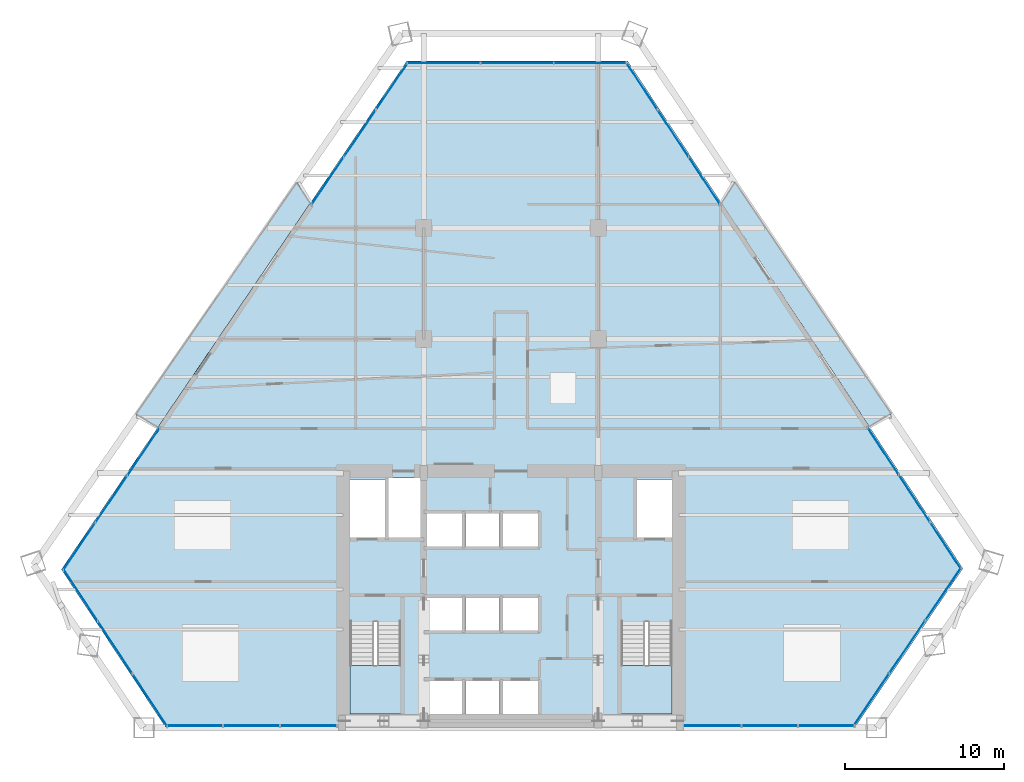
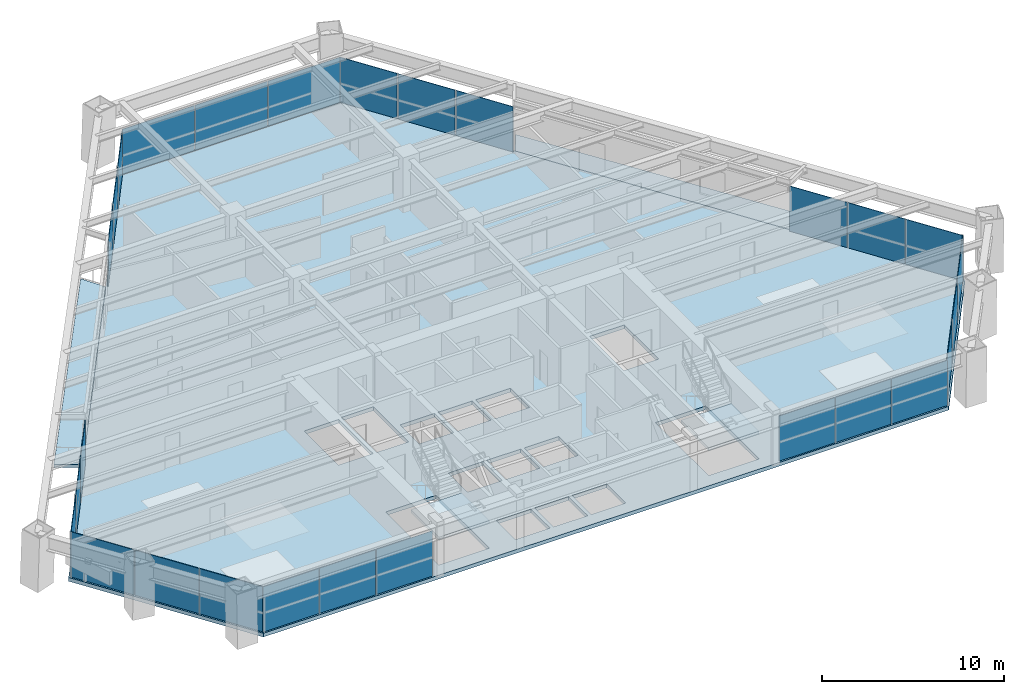
# One storey, part 9 of 14: 27 plates, 5 slabs, 11 elements without a shape of their own.
"""IFC4 building model written with IfcOpenShell, lengths in metres."""

import ifcopenshell
import ifcopenshell.guid

model = None  # the IFC model being written
_history = None  # IfcOwnerHistory: only IFC2X3 demands one
_inside = {}  # id of a spatial element -> (the spatial element, [elements in it])
_under = {}  # id of a project, library or spatial element -> (it, [spatial elements below it])
_declared = {}  # id of a project -> (the project, [libraries it declares])
_typed = {}  # id of a type object -> (the type object, [elements of that type])
_made_of = {}  # id of a material, layer set ... -> (it, [elements and type objects made of it])


def new_model(schema):
    """Start an empty IFC model of exactly this schema.

    Asked for "IFC4X3", IfcOpenShell would pick the latest addendum, in which some entities
    have other attributes; the version numbers below select the first issue.
    IFC2X3 requires an IfcOwnerHistory on every rooted entity: one is made here for all.
    """
    global model, _history
    if schema == "IFC4X3":
        model = ifcopenshell.file(schema_version=(4, 3, 0, 0))
    else:
        model = ifcopenshell.file(schema=schema)
    _inside.clear()
    _under.clear()
    _declared.clear()
    _typed.clear()
    _made_of.clear()
    _history = None
    if model.schema == "IFC2X3":
        org = make("IfcOrganization", Name="unknown")
        user = make(
            "IfcPersonAndOrganization",
            ThePerson=make("IfcPerson", FamilyName="unknown"),
            TheOrganization=org,
        )
        app = make(
            "IfcApplication",
            ApplicationDeveloper=org,
            Version="unknown",
            ApplicationFullName="unknown",
            ApplicationIdentifier="unknown",
        )
        _history = make(
            "IfcOwnerHistory",
            OwningUser=user,
            OwningApplication=app,
            ChangeAction="ADDED",
            CreationDate=0,
        )
    return model


def make(cls, **values):
    """One entity of the class cls with the attributes given. An attribute that is None is left unset."""
    return model.create_entity(
        cls, **{name: value for name, value in values.items() if value is not None}
    )


def rooted(cls, **values):
    """An entity with a GlobalId (a new one), such as an element, a storey or a relation."""
    return make(cls, GlobalId=ifcopenshell.guid.new(), OwnerHistory=_history, **values)


def si_unit(unit_type, name, prefix=None):
    """IfcSIUnit, for example si_unit("LENGTHUNIT", "METRE", prefix="MILLI")."""
    return make("IfcSIUnit", UnitType=unit_type, Prefix=prefix, Name=name)


def assignment(units):
    """IfcUnitAssignment: the units of a project."""
    return None if units is None else make("IfcUnitAssignment", Units=units)


def point(xyz):
    """IfcCartesianPoint."""
    return None if xyz is None else make("IfcCartesianPoint", Coordinates=xyz)


def direction(xyz):
    """IfcDirection."""
    return None if xyz is None else make("IfcDirection", DirectionRatios=xyz)


def frame(location, z_axis=None, x_axis=None):
    """IfcAxis2Placement3D, a coordinate frame: its origin and axes. An axis left out is left unset."""
    return make(
        "IfcAxis2Placement3D",
        Location=point(location),
        Axis=direction(z_axis),
        RefDirection=direction(x_axis),
    )


def frame_2d(location, x_axis=None):
    """IfcAxis2Placement2D, a coordinate frame in the plane: its origin and x axis."""
    return make(
        "IfcAxis2Placement2D", Location=point(location), RefDirection=direction(x_axis)
    )


def origin():
    """The frame at (0, 0, 0) with its axes left unset."""
    return frame((0.0, 0.0, 0.0))


def origin_2d():
    """The frame at (0, 0) in the plane with its x axis left unset."""
    return frame_2d((0.0, 0.0))


def place(relative_to, where):
    """IfcLocalPlacement: puts the frame where relative to a parent placement (None: the world)."""
    return make(
        "IfcLocalPlacement", PlacementRelTo=relative_to, RelativePlacement=where
    )


def context(
    kind, dimensions, precision=None, world=None, true_north=None, identifier=None
):
    """IfcGeometricRepresentationContext, for example the 3D "Model" context."""
    return make(
        "IfcGeometricRepresentationContext",
        ContextIdentifier=identifier,
        ContextType=kind,
        CoordinateSpaceDimension=dimensions,
        Precision=precision,
        WorldCoordinateSystem=world,
        TrueNorth=true_north,
    )


def subcontext(parent, identifier, kind, view, scale=None):
    """IfcGeometricRepresentationSubContext, for example "Body" below "Model"."""
    return make(
        "IfcGeometricRepresentationSubContext",
        ContextIdentifier=identifier,
        ContextType=kind,
        ParentContext=parent,
        TargetScale=scale,
        TargetView=view,
    )


def project(units=None, contexts=None):
    """IfcProject with its units and contexts."""
    return rooted(
        "IfcProject",
        Name="project",
        RepresentationContexts=contexts,
        UnitsInContext=assignment(units),
    )


def spatial(cls, under=None, at=None, **own):
    """A site, building, storey or space (cls), placed at a placement, below another one or the project."""
    s = rooted(cls, ObjectPlacement=at, **own)
    if under is not None:
        _under.setdefault(under.id(), (under, []))[1].append(s)
    return s


def polyline(points):
    """IfcPolyline through the points."""
    return make("IfcPolyline", Points=[point(p) for p in points])


def profile(cls, at=None, kind="AREA", **sizes):
    """A parametric profile (cls). Its sizes go by their IFC names, for example OverallWidth=200.0."""
    return make(cls, ProfileType=kind, Position=at, **sizes)


def rectangle(**sizes):
    """IfcRectangleProfileDef."""
    return profile("IfcRectangleProfileDef", **sizes)


def outline(outer, holes=None, kind="AREA"):
    """IfcArbitraryClosedProfileDef: a profile drawn as a closed curve; with holes, ...WithVoids."""
    if holes is None:
        return make("IfcArbitraryClosedProfileDef", ProfileType=kind, OuterCurve=outer)
    return make(
        "IfcArbitraryProfileDefWithVoids",
        ProfileType=kind,
        OuterCurve=outer,
        InnerCurves=holes,
    )


def extrude(swept, where, along, depth):
    """IfcExtrudedAreaSolid: the profile swept, set in the frame where, extruded along a direction by depth."""
    return make(
        "IfcExtrudedAreaSolid",
        SweptArea=swept,
        Position=where,
        ExtrudedDirection=direction(along),
        Depth=depth,
    )


def shape(context_of_items, identifier, shape_type, items):
    """IfcShapeRepresentation: the items that make up one representation, for example the "Body"."""
    return make(
        "IfcShapeRepresentation",
        ContextOfItems=context_of_items,
        RepresentationIdentifier=identifier,
        RepresentationType=shape_type,
        Items=items,
    )


def source(mapping_origin, context_of_items, identifier, shape_type, items):
    """IfcRepresentationMap: a shape defined once, which mapped items show again and again."""
    return make(
        "IfcRepresentationMap",
        MappingOrigin=mapping_origin,
        MappedRepresentation=shape(context_of_items, identifier, shape_type, items),
    )


def transform(
    local_origin,
    x_axis=None,
    y_axis=None,
    z_axis=None,
    scale=None,
    scale2=None,
    scale3=None,
    uniform=True,
):
    """IfcCartesianTransformationOperator3D, or its non-uniform kind. x_axis, y_axis, z_axis: its Axis1, 2, 3."""
    if uniform:
        return make(
            "IfcCartesianTransformationOperator3D",
            Axis1=direction(x_axis),
            Axis2=direction(y_axis),
            LocalOrigin=point(local_origin),
            Scale=scale,
            Axis3=direction(z_axis),
        )
    return make(
        "IfcCartesianTransformationOperator3DnonUniform",
        Axis1=direction(x_axis),
        Axis2=direction(y_axis),
        LocalOrigin=point(local_origin),
        Scale=scale,
        Axis3=direction(z_axis),
        Scale2=scale2,
        Scale3=scale3,
    )


def mapped(mapping_source, mapping_target):
    """IfcMappedItem: shows the shape of a source again, moved by a transform."""
    return make(
        "IfcMappedItem", MappingSource=mapping_source, MappingTarget=mapping_target
    )


def material(Name=None, Category=None):
    """IfcMaterial."""
    return make("IfcMaterial", Name=Name, Category=Category)


def layer(
    of_material, thickness, ventilated=None, Name=None, Category=None, Priority=None
):
    """IfcMaterialLayer: one layer of a wall or slab, of a material (None: an air gap)."""
    return make(
        "IfcMaterialLayer",
        Material=of_material,
        LayerThickness=thickness,
        IsVentilated=ventilated,
        Name=Name,
        Category=Category,
        Priority=Priority,
    )


def layer_set(layers, Name=None):
    """IfcMaterialLayerSet."""
    return make("IfcMaterialLayerSet", MaterialLayers=layers, LayerSetName=Name)


def made_of(thing, what):
    """Note that an element or type object is made of a material, layer set ...; save() writes the relation."""
    if what is not None:
        _made_of.setdefault(what.id(), (what, []))[1].append(thing)
    return thing


def type_object(cls, material=None, **own):
    """A type object (cls), such as IfcWallType, which elements share."""
    return made_of(rooted(cls, **own), material)


def element(
    cls,
    number,
    at=None,
    inside=None,
    cuts=None,
    type_object=None,
    material=None,
    context=None,
    identifier="Body",
    shape_type=None,
    held_by="IfcProductDefinitionShape",
    body=None,
    shapes=None,
    **own,
):
    """One element of the class cls, such as IfcWall. Its Tag is "e" and its number.

    at: its placement. inside: the storey or other place that contains it. cuts: it is an
    opening in that element (IfcRelVoidsElement). A single representation is given by context,
    identifier, shape_type and body (its items); several are given by shapes. held_by: the class
    of the entity that holds the representations. save() writes the other relations.
    """
    e = rooted(cls, Tag="e%d" % number, ObjectPlacement=at, **own)
    if body is not None:
        shapes = [shape(context, identifier, shape_type, body)]
    if shapes is not None:
        e.Representation = make(held_by, Representations=shapes)
    if inside is not None:
        _inside.setdefault(inside.id(), (inside, []))[1].append(e)
    if cuts is not None:
        rooted(
            "IfcRelVoidsElement", RelatingBuildingElement=cuts, RelatedOpeningElement=e
        )
    if type_object is not None:
        _typed.setdefault(type_object.id(), (type_object, []))[1].append(e)
    return made_of(e, material)


def aggregate(whole, parts):
    """IfcRelAggregates: a whole, such as a stair, and the parts it consists of."""
    return rooted("IfcRelAggregates", RelatingObject=whole, RelatedObjects=parts)


def save(model, path):
    """Write the relations noted so far, then the file.

    IfcRelAggregates (storeys below a building ...), IfcRelContainedInSpatialStructure (elements
    in a storey), IfcRelDefinesByType, IfcRelAssociatesMaterial and IfcRelDeclares: one each for
    every whole, place, type object, material and project.
    """
    for whole, parts in _under.values():
        aggregate(whole, parts)
    for where, things in _inside.values():
        rooted(
            "IfcRelContainedInSpatialStructure",
            RelatedElements=things,
            RelatingStructure=where,
        )
    for kind, things in _typed.values():
        rooted("IfcRelDefinesByType", RelatedObjects=things, RelatingType=kind)
    for what, things in _made_of.values():
        rooted("IfcRelAssociatesMaterial", RelatedObjects=things, RelatingMaterial=what)
    for by, libraries in _declared.values():
        rooted("IfcRelDeclares", RelatingContext=by, RelatedDefinitions=libraries)
    model.write(path)


model = new_model("IFC4")

# Units and contexts
model_context = context("Model", 3, precision=1e-05, world=origin(), true_north=direction((0.0, 1.0)))
body_context = subcontext(model_context, "Body", "Model", "MODEL_VIEW")
ifc_project = project(units=[si_unit("LENGTHUNIT", "METRE"), si_unit("AREAUNIT", "SQUARE_METRE"), si_unit("VOLUMEUNIT", "CUBIC_METRE"), si_unit("PLANEANGLEUNIT", "RADIAN"), si_unit("MASSUNIT", "GRAM", prefix="KILO")], contexts=[model_context])

# Site, building, storey
site_placement = place(None, origin())
site = spatial("IfcSite", under=ifc_project, at=site_placement, CompositionType="ELEMENT")
building_placement = place(site_placement, origin())
building = spatial("IfcBuilding", under=site, at=building_placement, Name="Varnakhor Terracotta Tower", CompositionType="ELEMENT")
storey_placement = place(building_placement, frame((0.0, 0.0, 64.5)))
storey = spatial("IfcBuildingStorey", under=building, at=storey_placement, Name="L15", CompositionType="ELEMENT", Elevation=64.5)

# Stair, slab
ifc_material_1 = material(Name="Concrete C40/50", Category="concrete")
stair_type = type_object("IfcStairType", Name="STR-CORE-OFFICE-1500", PredefinedType="HALF_TURN_STAIR", material=ifc_material_1)
stair_1_placement = place(storey_placement, origin())
stair_1 = element("IfcStair", 1, at=stair_1_placement, inside=storey, type_object=stair_type, Name="L15 Core Exit Stair ST-1", PredefinedType="HALF_TURN_STAIR")
ifc_layer_1 = layer(ifc_material_1, 0.179931640625, Name="Concrete C40/50")
ifc_layer_set_1 = layer_set([ifc_layer_1], Name="Concrete C40/50")
slab_type_1 = type_object("IfcSlabType", Name="SLB-LANDING-180", PredefinedType="LANDING", material=ifc_layer_set_1)
slab_1_placement = place(storey_placement, frame((0.0, 0.0, 1.64990234375)))
slab_1 = element("IfcSlab", 2, at=slab_1_placement, type_object=slab_type_1, Name="ST-1 landing 1", PredefinedType="LANDING", context=body_context, shape_type="SweptSolid", body=[
    extrude(outline(polyline([(-10.14990234375, 3.909912109375), (-10.14990234375, 0.85009765625), (-6.949951171875, 0.85009765625), (-6.949951171875, 3.909912109375), (-10.14990234375, 3.909912109375)])), origin(), (0.0, 0.0, 1.0), 0.2001953125),
])
aggregate(stair_1, [slab_1])

stair_2_placement = place(storey_placement, origin())
stair_2 = element("IfcStair", 3, at=stair_2_placement, inside=storey, type_object=stair_type, Name="L15 Core Exit Stair ST-2", PredefinedType="HALF_TURN_STAIR")
slab_2_placement = place(storey_placement, frame((0.0, 0.0, 1.64990234375)))
slab_2 = element("IfcSlab", 4, at=slab_2_placement, type_object=slab_type_1, Name="ST-2 landing 1", PredefinedType="LANDING", context=body_context, shape_type="SweptSolid", body=[
    extrude(outline(polyline([(6.949951171875, 3.909912109375), (6.949951171875, 0.85009765625), (10.14990234375, 0.85009765625), (10.14990234375, 3.909912109375), (6.949951171875, 3.909912109375)])), origin(), (0.0, 0.0, 1.0), 0.2001953125),
])
aggregate(stair_2, [slab_2])

# Slabs
ifc_layer_2 = layer(ifc_material_1, 0.195068359375, Name="Concrete C40/50")
ifc_layer_set_2 = layer_set([ifc_layer_2], Name="Concrete C40/50")
slab_type_2 = type_object("IfcSlabType", Name="SLB-LOGGIA-EXT-195", PredefinedType="FLOOR", material=ifc_layer_set_2)
slab_3_placement = place(storey_placement, frame((0.0, 0.0, -0.195068359375)))
element("IfcSlab", 5, at=slab_3_placement, inside=storey, type_object=slab_type_2, Name="L15 E Recessed Outdoor Loggia Slab", PredefinedType="FLOOR", context=body_context, shape_type="SweptSolid", body=[
    extrude(outline(polyline([(14.0908203125, 34.422119140625), (23.98095703125, 19.77392578125), (22.578125, 18.994873046875), (18.759033203125, 24.773681640625), (13.27880859375, 33.06591796875), (14.0908203125, 34.422119140625)])), origin(), (0.0, 0.0, 1.0), 0.195068359375),
])
slab_4_placement = place(storey_placement, frame((0.0, 0.0, -0.195068359375)))
element("IfcSlab", 6, at=slab_4_placement, inside=storey, type_object=slab_type_2, Name="L15 W Recessed Outdoor Loggia Slab", PredefinedType="FLOOR", context=body_context, shape_type="SweptSolid", body=[
    extrude(outline(polyline([(-23.661376953125, 19.72412109375), (-13.487548828125, 34.402587890625), (-12.674560546875, 33.04736328125), (-22.256591796875, 18.94677734375), (-23.661376953125, 19.72412109375)])), origin(), (0.0, 0.0, 1.0), 0.195068359375),
])
ifc_layer_3 = layer(ifc_material_1, 0.25, Name="Concrete C40/50")
ifc_layer_set_3 = layer_set([ifc_layer_3], Name="Concrete C40/50")
slab_type_3 = type_object("IfcSlabType", Name="SLB-OFF-250", PredefinedType="FLOOR", material=ifc_layer_set_3)
slab_5_placement = place(storey_placement, frame((0.0, 0.0, -0.25)))
element("IfcSlab", 7, at=slab_5_placement, inside=storey, type_object=slab_type_3, Name="L15 Structural Floor Slab", PredefinedType="FLOOR", context=body_context, shape_type="SweptSolid", body=[
    extrude(outline(polyline([(-28.354248046875, 9.973876953125), (-6.576904296875, 42.020263671875), (7.36083984375, 42.020263671875), (28.49609375, 10.04052734375), (21.673095703125, 0.0), (-21.7626953125, 0.0), (-28.354248046875, 9.973876953125)]), holes=[polyline([(-3.10009765625, 0.85009765625), (-3.10009765625, 2.949951171875), (-5.300048828125, 2.949951171875), (-5.300048828125, 0.85009765625), (-3.10009765625, 0.85009765625)]), polyline([(-2.8798828125, 0.85009765625), (-0.719970703125, 0.85009765625), (-0.719970703125, 2.949951171875), (-2.8798828125, 2.949951171875), (-2.8798828125, 0.85009765625)]), polyline([(-10.14990234375, 0.85009765625), (-6.949951171875, 0.85009765625), (-6.949951171875, 6.695068359375), (-10.14990234375, 6.695068359375), (-10.14990234375, 0.85009765625)]), polyline([(-5.300048828125, 6.10009765625), (-3.10009765625, 6.10009765625), (-3.10009765625, 8.199951171875), (-5.300048828125, 8.199951171875), (-5.300048828125, 6.10009765625)]), polyline([(-5.300048828125, 11.419921875), (-3.10009765625, 11.419921875), (-3.10009765625, 13.52001953125), (-5.300048828125, 13.52001953125), (-5.300048828125, 11.419921875)]), polyline([(-10.14990234375, 11.8798828125), (-7.949951171875, 11.8798828125), (-7.949951171875, 15.64990234375), (-10.14990234375, 15.64990234375), (-10.14990234375, 11.8798828125)]), polyline([(-7.72998046875, 11.8798828125), (-5.699951171875, 11.8798828125), (-5.699951171875, 15.75), (-7.72998046875, 15.75), (-7.72998046875, 11.8798828125)]), polyline([(1.699951171875, 0.85009765625), (1.699951171875, 2.949951171875), (-0.5, 2.949951171875), (-0.5, 0.85009765625), (1.699951171875, 0.85009765625)]), polyline([(6.949951171875, 0.85009765625), (10.14990234375, 0.85009765625), (10.14990234375, 6.695068359375), (6.949951171875, 6.695068359375), (6.949951171875, 0.85009765625)]), polyline([(-2.8798828125, 6.10009765625), (-0.719970703125, 6.10009765625), (-0.719970703125, 8.199951171875), (-2.8798828125, 8.199951171875), (-2.8798828125, 6.10009765625)]), polyline([(-0.5, 6.10009765625), (1.699951171875, 6.10009765625), (1.699951171875, 8.199951171875), (-0.5, 8.199951171875), (-0.5, 6.10009765625)]), polyline([(-2.8798828125, 11.419921875), (-0.719970703125, 11.419921875), (-0.719970703125, 13.52001953125), (-2.8798828125, 13.52001953125), (-2.8798828125, 11.419921875)]), polyline([(-0.5, 11.419921875), (1.699951171875, 11.419921875), (1.699951171875, 13.52001953125), (-0.5, 13.52001953125), (-0.5, 11.419921875)]), polyline([(7.949951171875, 11.8798828125), (10.14990234375, 11.8798828125), (10.14990234375, 15.64990234375), (7.949951171875, 15.64990234375), (7.949951171875, 11.8798828125)])]), origin(), (0.0, 0.0, 1.0), 0.25),
])

# Curtain wall, plates
ifc_material_2 = material(Name="Anodised Aluminium Curtain Wall System", Category="aluminium")
curtain_wall_type = type_object("IfcCurtainWallType", Name="CW-SYS-LOW-OFFICE", PredefinedType="NOTDEFINED", material=ifc_material_2)
curtain_wall_1_placement = place(storey_placement, origin())
curtain_wall_1 = element("IfcCurtainWall", 8, at=curtain_wall_1_placement, inside=storey, type_object=curtain_wall_type, Name="L15 E Facet Curtain Wall 1", PredefinedType="NOTDEFINED")
ifc_material_3 = material(Name="Solar-Control Low-E Insulated Glass Panel", Category="glass")
ifc_layer_4 = layer(ifc_material_3, 0.0380859375, Name="Solar-Control Low-E Insulated Glass Panel")
ifc_layer_set_4 = layer_set([ifc_layer_4], Name="Solar-Control Low-E Insulated Glass Panel")
plate_type = type_object("IfcPlateType", Name="CWP-02", PredefinedType="CURTAIN_PANEL", material=ifc_layer_set_4)
shared_shape_1 = source(origin(), body_context, "Body", "SweptSolid", [
    extrude(rectangle(XDim=3.517578125, YDim=0.035888671875, at=origin_2d()), origin(), (0.0, 0.0, 1.0), 3.030029296875),
])
plate_1_placement = place(storey_placement, frame((8.258056640625, 40.445068359375, 0.0), z_axis=(0.0, 0.0, 1.0), x_axis=(0.551369249419, -0.834261320448, 0.0)))
plate_1 = element("IfcPlate", 9, at=plate_1_placement, type_object=plate_type, Name="L15 E Facet Curtain Wall 1 Glazed Panel 1", PredefinedType="CURTAIN_PANEL", context=body_context, shape_type="MappedRepresentation", body=[
    mapped(shared_shape_1, transform((0.0, 0.0, 0.0), scale=1.0)),
])
plate_2_placement = place(storey_placement, frame((10.219482421875, 37.47705078125, 0.0), z_axis=(0.0, 0.0, 1.0), x_axis=(0.551369249419, -0.834261320448, 0.0)))
plate_2 = element("IfcPlate", 10, at=plate_2_placement, type_object=plate_type, Name="L15 E Facet Curtain Wall 1 Glazed Panel 2", PredefinedType="CURTAIN_PANEL", context=body_context, shape_type="MappedRepresentation", body=[
    mapped(shared_shape_1, transform((0.0, 0.0, 0.0), scale=1.0)),
])
plate_3_placement = place(storey_placement, frame((12.18115234375, 34.5087890625, 0.0), z_axis=(0.0, 0.0, 1.0), x_axis=(0.551369249419, -0.834261320448, 0.0)))
plate_3 = element("IfcPlate", 11, at=plate_3_placement, type_object=plate_type, Name="L15 E Facet Curtain Wall 1 Glazed Panel 3", PredefinedType="CURTAIN_PANEL", context=body_context, shape_type="MappedRepresentation", body=[
    mapped(shared_shape_1, transform((0.0, 0.0, 0.0), scale=1.0)),
])
aggregate(curtain_wall_1, [plate_1, plate_2, plate_3])

curtain_wall_2_placement = place(storey_placement, origin())
curtain_wall_2 = element("IfcCurtainWall", 12, at=curtain_wall_2_placement, inside=storey, type_object=curtain_wall_type, Name="L15 E Facet Curtain Wall 2", PredefinedType="NOTDEFINED")
plate_4_placement = place(storey_placement, frame((23.475341796875, 17.419677734375, 0.0), z_axis=(0.0, 0.0, 1.0), x_axis=(0.551369249419, -0.834261320448, 0.0)))
plate_4 = element("IfcPlate", 13, at=plate_4_placement, type_object=plate_type, Name="L15 E Facet Curtain Wall 2 Glazed Panel 1", PredefinedType="CURTAIN_PANEL", context=body_context, shape_type="MappedRepresentation", body=[
    mapped(shared_shape_1, transform((0.0, 0.0, 0.0), scale=1.0)),
])
plate_5_placement = place(storey_placement, frame((25.43701171875, 14.45166015625, 0.0), z_axis=(0.0, 0.0, 1.0), x_axis=(0.551369249419, -0.834261320448, 0.0)))
plate_5 = element("IfcPlate", 14, at=plate_5_placement, type_object=plate_type, Name="L15 E Facet Curtain Wall 2 Glazed Panel 2", PredefinedType="CURTAIN_PANEL", context=body_context, shape_type="MappedRepresentation", body=[
    mapped(shared_shape_1, transform((0.0, 0.0, 0.0), scale=1.0)),
])
plate_6_placement = place(storey_placement, frame((27.398681640625, 11.4833984375, 0.0), z_axis=(0.0, 0.0, 1.0), x_axis=(0.551369249419, -0.834261320448, 0.0)))
plate_6 = element("IfcPlate", 15, at=plate_6_placement, type_object=plate_type, Name="L15 E Facet Curtain Wall 2 Glazed Panel 3", PredefinedType="CURTAIN_PANEL", context=body_context, shape_type="MappedRepresentation", body=[
    mapped(shared_shape_1, transform((0.0, 0.0, 0.0), scale=1.0)),
])
aggregate(curtain_wall_2, [plate_4, plate_5, plate_6])

# Curtain wall, plate
curtain_wall_3_placement = place(storey_placement, origin())
curtain_wall_3 = element("IfcCurtainWall", 16, at=curtain_wall_3_placement, inside=storey, type_object=curtain_wall_type, Name="L15 W Facet Curtain Wall 1", PredefinedType="NOTDEFINED")
shared_shape_2 = source(origin(), body_context, "Body", "SweptSolid", [
    extrude(rectangle(XDim=3.55615234375, YDim=0.035888671875, at=origin_2d()), origin(), (0.0, 0.0, 1.0), 3.030029296875),
])
plate_7_placement = place(storey_placement, frame((-27.227294921875, 11.41845703125, 0.0), z_axis=(0.0, 0.0, 1.0), x_axis=(0.562054506951, 0.827100194182, 0.0)))
plate_7 = element("IfcPlate", 17, at=plate_7_placement, type_object=plate_type, Name="L15 W Facet Curtain Wall 1 Glazed Panel 1", PredefinedType="CURTAIN_PANEL", context=body_context, shape_type="MappedRepresentation", body=[
    mapped(shared_shape_2, transform((0.0, 0.0, 0.0), scale=1.0)),
])

curtain_wall_4_placement = place(storey_placement, origin())
curtain_wall_4 = element("IfcCurtainWall", 18, at=curtain_wall_4_placement, inside=storey, type_object=curtain_wall_type, Name="L15 W Facet Curtain Wall 2", PredefinedType="NOTDEFINED")
plate_8_placement = place(storey_placement, frame((-7.50537109375, 40.44091796875, 0.0), z_axis=(0.0, 0.0, 1.0), x_axis=(0.562054506951, 0.827100194182, 0.0)))
plate_8 = element("IfcPlate", 19, at=plate_8_placement, type_object=plate_type, Name="L15 W Facet Curtain Wall 2 Glazed Panel 3", PredefinedType="CURTAIN_PANEL", context=body_context, shape_type="MappedRepresentation", body=[
    mapped(shared_shape_2, transform((0.0, 0.0, 0.0), scale=1.0)),
])

# Plate
shared_shape_3 = source(origin(), body_context, "Body", "SweptSolid", [
    extrude(rectangle(XDim=3.556396484375, YDim=0.035888671875, at=origin_2d()), origin(), (0.0, 0.0, 1.0), 3.030029296875),
])
plate_9_placement = place(storey_placement, frame((-25.206298828125, 14.392822265625, 0.0), z_axis=(0.0, 0.0, 1.0), x_axis=(0.562054506951, 0.827100194182, 0.0)))
plate_9 = element("IfcPlate", 20, at=plate_9_placement, type_object=plate_type, Name="L15 W Facet Curtain Wall 1 Glazed Panel 2", PredefinedType="CURTAIN_PANEL", context=body_context, shape_type="MappedRepresentation", body=[
    mapped(shared_shape_3, transform((0.0, 0.0, 0.0), scale=1.0)),
])

plate_10_placement = place(storey_placement, frame((-23.184814453125, 17.367431640625, 0.0), z_axis=(0.0, 0.0, 1.0), x_axis=(0.562054506951, 0.827100194182, 0.0)))
plate_10 = element("IfcPlate", 21, at=plate_10_placement, type_object=plate_type, Name="L15 W Facet Curtain Wall 1 Glazed Panel 3", PredefinedType="CURTAIN_PANEL", context=body_context, shape_type="MappedRepresentation", body=[
    mapped(shared_shape_3, transform((0.0, 0.0, 0.0), scale=1.0)),
])

aggregate(curtain_wall_3, [plate_7, plate_9, plate_10])

plate_11_placement = place(storey_placement, frame((-11.5478515625, 34.49169921875, 0.0), z_axis=(0.0, 0.0, 1.0), x_axis=(0.562054506951, 0.827100194182, 0.0)))
plate_11 = element("IfcPlate", 22, at=plate_11_placement, type_object=plate_type, Name="L15 W Facet Curtain Wall 2 Glazed Panel 1", PredefinedType="CURTAIN_PANEL", context=body_context, shape_type="MappedRepresentation", body=[
    mapped(shared_shape_3, transform((0.0, 0.0, 0.0), scale=1.0)),
])

plate_12_placement = place(storey_placement, frame((-9.526611328125, 37.46630859375, 0.0), z_axis=(0.0, 0.0, 1.0), x_axis=(0.562054506951, 0.827100194182, 0.0)))
plate_12 = element("IfcPlate", 23, at=plate_12_placement, type_object=plate_type, Name="L15 W Facet Curtain Wall 2 Glazed Panel 2", PredefinedType="CURTAIN_PANEL", context=body_context, shape_type="MappedRepresentation", body=[
    mapped(shared_shape_3, transform((0.0, 0.0, 0.0), scale=1.0)),
])

aggregate(curtain_wall_4, [plate_11, plate_12, plate_8])

# Curtain wall, plates
curtain_wall_5_placement = place(storey_placement, origin())
curtain_wall_5 = element("IfcCurtainWall", 24, at=curtain_wall_5_placement, inside=storey, type_object=curtain_wall_type, Name="L15 Facet Curtain Wall 2", PredefinedType="NOTDEFINED")
shared_shape_4 = source(origin(), body_context, "Body", "SweptSolid", [
    extrude(rectangle(XDim=4.5859375, YDim=0.035888671875, at=origin_2d()), origin(), (0.0, 0.0, 1.0), 3.030029296875),
])
plate_13_placement = place(storey_placement, frame((-4.23388671875, 41.900390625, 0.0), z_axis=(0.0, 0.0, 1.0), x_axis=(1.0, 0.0, 0.0)))
plate_13 = element("IfcPlate", 25, at=plate_13_placement, type_object=plate_type, Name="L15 Facet Curtain Wall 2 Glazed Panel 1", PredefinedType="CURTAIN_PANEL", context=body_context, shape_type="MappedRepresentation", body=[
    mapped(shared_shape_4, transform((0.0, 0.0, 0.0), scale=1.0)),
])
plate_14_placement = place(storey_placement, frame((0.391845703125, 41.900390625, 0.0), z_axis=(0.0, 0.0, 1.0), x_axis=(1.0, 0.0, 0.0)))
plate_14 = element("IfcPlate", 26, at=plate_14_placement, type_object=plate_type, Name="L15 Facet Curtain Wall 2 Glazed Panel 2", PredefinedType="CURTAIN_PANEL", context=body_context, shape_type="MappedRepresentation", body=[
    mapped(shared_shape_4, transform((0.0, 0.0, 0.0), scale=1.0)),
])
plate_15_placement = place(storey_placement, frame((5.017822265625, 41.900390625, 0.0), z_axis=(0.0, 0.0, 1.0), x_axis=(1.0, 0.0, 0.0)))
plate_15 = element("IfcPlate", 27, at=plate_15_placement, type_object=plate_type, Name="L15 Facet Curtain Wall 2 Glazed Panel 3", PredefinedType="CURTAIN_PANEL", context=body_context, shape_type="MappedRepresentation", body=[
    mapped(shared_shape_4, transform((0.0, 0.0, 0.0), scale=1.0)),
])
aggregate(curtain_wall_5, [plate_13, plate_14, plate_15])

curtain_wall_6_placement = place(storey_placement, origin())
curtain_wall_6 = element("IfcCurtainWall", 28, at=curtain_wall_6_placement, inside=storey, type_object=curtain_wall_type, Name="L15 Facet Curtain Wall 4", PredefinedType="NOTDEFINED")
shared_shape_5 = source(origin(), body_context, "Body", "SweptSolid", [
    extrude(rectangle(XDim=3.986572265625, YDim=0.035888671875, at=origin_2d()), origin(), (0.0, 0.0, 1.0), 3.030029296875),
])
plate_16_placement = place(storey_placement, frame((27.248291015625, 8.41796875, 0.0), z_axis=(0.0, 0.0, 1.0), x_axis=(-0.562054506951, -0.827100194182, 0.0)))
plate_16 = element("IfcPlate", 29, at=plate_16_placement, type_object=plate_type, Name="L15 Facet Curtain Wall 4 Glazed Panel 1", PredefinedType="CURTAIN_PANEL", context=body_context, shape_type="MappedRepresentation", body=[
    mapped(shared_shape_5, transform((0.0, 0.0, 0.0), scale=1.0)),
])
plate_17_placement = place(storey_placement, frame((22.72216796875, 1.75732421875, 0.0), z_axis=(0.0, 0.0, 1.0), x_axis=(-0.562054506951, -0.827100194182, 0.0)))
plate_17 = element("IfcPlate", 30, at=plate_17_placement, type_object=plate_type, Name="L15 Facet Curtain Wall 4 Glazed Panel 3", PredefinedType="CURTAIN_PANEL", context=body_context, shape_type="MappedRepresentation", body=[
    mapped(shared_shape_5, transform((0.0, 0.0, 0.0), scale=1.0)),
])
shared_shape_6 = source(origin(), body_context, "Body", "SweptSolid", [
    extrude(rectangle(XDim=3.986328125, YDim=0.035888671875, at=origin_2d()), origin(), (0.0, 0.0, 1.0), 3.030029296875),
])
plate_18_placement = place(storey_placement, frame((24.9853515625, 5.087646484375, 0.0), z_axis=(0.0, 0.0, 1.0), x_axis=(-0.562054506951, -0.827100194182, 0.0)))
plate_18 = element("IfcPlate", 31, at=plate_18_placement, type_object=plate_type, Name="L15 Facet Curtain Wall 4 Glazed Panel 2", PredefinedType="CURTAIN_PANEL", context=body_context, shape_type="MappedRepresentation", body=[
    mapped(shared_shape_6, transform((0.0, 0.0, 0.0), scale=1.0)),
])
aggregate(curtain_wall_6, [plate_16, plate_18, plate_17])

curtain_wall_7_placement = place(storey_placement, origin())
curtain_wall_7 = element("IfcCurtainWall", 32, at=curtain_wall_7_placement, inside=storey, type_object=curtain_wall_type, Name="L15 South Wing Curtain Wall SSE", PredefinedType="NOTDEFINED")
shared_shape_7 = source(origin(), body_context, "Body", "SweptSolid", [
    extrude(rectangle(XDim=3.5244140625, YDim=0.035888671875, at=origin_2d()), origin(), (0.0, 0.0, 1.0), 3.030029296875),
])
plate_19_placement = place(storey_placement, frame((19.880859375, 0.1201171875, 0.0), z_axis=(0.0, 0.0, 1.0), x_axis=(-1.0, 0.0, 0.0)))
plate_19 = element("IfcPlate", 33, at=plate_19_placement, type_object=plate_type, Name="L15 South Wing Curtain Wall SSE Glazed Panel 1", PredefinedType="CURTAIN_PANEL", context=body_context, shape_type="MappedRepresentation", body=[
    mapped(shared_shape_7, transform((0.0, 0.0, 0.0), scale=1.0)),
])
plate_20_placement = place(storey_placement, frame((16.31640625, 0.1201171875, 0.0), z_axis=(0.0, 0.0, 1.0), x_axis=(-1.0, 0.0, 0.0)))
plate_20 = element("IfcPlate", 34, at=plate_20_placement, type_object=plate_type, Name="L15 South Wing Curtain Wall SSE Glazed Panel 2", PredefinedType="CURTAIN_PANEL", context=body_context, shape_type="MappedRepresentation", body=[
    mapped(shared_shape_7, transform((0.0, 0.0, 0.0), scale=1.0)),
])
plate_21_placement = place(storey_placement, frame((12.752197265625, 0.1201171875, 0.0), z_axis=(0.0, 0.0, 1.0), x_axis=(-1.0, 0.0, 0.0)))
plate_21 = element("IfcPlate", 35, at=plate_21_placement, type_object=plate_type, Name="L15 South Wing Curtain Wall SSE Glazed Panel 3", PredefinedType="CURTAIN_PANEL", context=body_context, shape_type="MappedRepresentation", body=[
    mapped(shared_shape_7, transform((0.0, 0.0, 0.0), scale=1.0)),
])
aggregate(curtain_wall_7, [plate_19, plate_20, plate_21])

curtain_wall_8_placement = place(storey_placement, origin())
curtain_wall_8 = element("IfcCurtainWall", 36, at=curtain_wall_8_placement, inside=storey, type_object=curtain_wall_type, Name="L15 South Wing Curtain Wall SSW", PredefinedType="NOTDEFINED")
shared_shape_8 = source(origin(), body_context, "Body", "SweptSolid", [
    extrude(rectangle(XDim=3.55419921875, YDim=0.035888671875, at=origin_2d()), origin(), (0.0, 0.0, 1.0), 3.030029296875),
])
plate_22_placement = place(storey_placement, frame((-12.76708984375, 0.1201171875, 0.0), z_axis=(0.0, 0.0, 1.0), x_axis=(-1.0, 0.0, 0.0)))
plate_22 = element("IfcPlate", 37, at=plate_22_placement, type_object=plate_type, Name="L15 South Wing Curtain Wall SSW Glazed Panel 1", PredefinedType="CURTAIN_PANEL", context=body_context, shape_type="MappedRepresentation", body=[
    mapped(shared_shape_8, transform((0.0, 0.0, 0.0), scale=1.0)),
])
plate_23_placement = place(storey_placement, frame((-16.361328125, 0.1201171875, 0.0), z_axis=(0.0, 0.0, 1.0), x_axis=(-1.0, 0.0, 0.0)))
plate_23 = element("IfcPlate", 38, at=plate_23_placement, type_object=plate_type, Name="L15 South Wing Curtain Wall SSW Glazed Panel 2", PredefinedType="CURTAIN_PANEL", context=body_context, shape_type="MappedRepresentation", body=[
    mapped(shared_shape_8, transform((0.0, 0.0, 0.0), scale=1.0)),
])
plate_24_placement = place(storey_placement, frame((-19.95556640625, 0.1201171875, 0.0), z_axis=(0.0, 0.0, 1.0), x_axis=(-1.0, 0.0, 0.0)))
plate_24 = element("IfcPlate", 39, at=plate_24_placement, type_object=plate_type, Name="L15 South Wing Curtain Wall SSW Glazed Panel 3", PredefinedType="CURTAIN_PANEL", context=body_context, shape_type="MappedRepresentation", body=[
    mapped(shared_shape_8, transform((0.0, 0.0, 0.0), scale=1.0)),
])
aggregate(curtain_wall_8, [plate_22, plate_23, plate_24])

curtain_wall_9_placement = place(storey_placement, origin())
curtain_wall_9 = element("IfcCurtainWall", 40, at=curtain_wall_9_placement, inside=storey, type_object=curtain_wall_type, Name="L15 Facet Curtain Wall 6", PredefinedType="NOTDEFINED")
shared_shape_9 = source(origin(), body_context, "Body", "SweptSolid", [
    extrude(rectangle(XDim=3.925048828125, YDim=0.035888671875, at=origin_2d()), origin(), (0.0, 0.0, 1.0), 3.030029296875),
])
plate_25_placement = place(storey_placement, frame((-22.772216796875, 1.7451171875, 0.0), z_axis=(0.0, 0.0, 1.0), x_axis=(-0.551354688728, 0.834270943529, 0.0)))
plate_25 = element("IfcPlate", 41, at=plate_25_placement, type_object=plate_type, Name="L15 Facet Curtain Wall 6 Glazed Panel 1", PredefinedType="CURTAIN_PANEL", context=body_context, shape_type="MappedRepresentation", body=[
    mapped(shared_shape_9, transform((0.0, 0.0, 0.0), scale=1.0)),
])
plate_26_placement = place(storey_placement, frame((-24.958251953125, 5.052978515625, 0.0), z_axis=(0.0, 0.0, 1.0), x_axis=(-0.551354688728, 0.834270943529, 0.0)))
plate_26 = element("IfcPlate", 42, at=plate_26_placement, type_object=plate_type, Name="L15 Facet Curtain Wall 6 Glazed Panel 2", PredefinedType="CURTAIN_PANEL", context=body_context, shape_type="MappedRepresentation", body=[
    mapped(shared_shape_9, transform((0.0, 0.0, 0.0), scale=1.0)),
])
plate_27_placement = place(storey_placement, frame((-27.144287109375, 8.361083984375, 0.0), z_axis=(0.0, 0.0, 1.0), x_axis=(-0.551354688728, 0.834270943529, 0.0)))
plate_27 = element("IfcPlate", 43, at=plate_27_placement, type_object=plate_type, Name="L15 Facet Curtain Wall 6 Glazed Panel 3", PredefinedType="CURTAIN_PANEL", context=body_context, shape_type="MappedRepresentation", body=[
    mapped(shared_shape_9, transform((0.0, 0.0, 0.0), scale=1.0)),
])
aggregate(curtain_wall_9, [plate_25, plate_26, plate_27])

save(model, "model.ifc")
